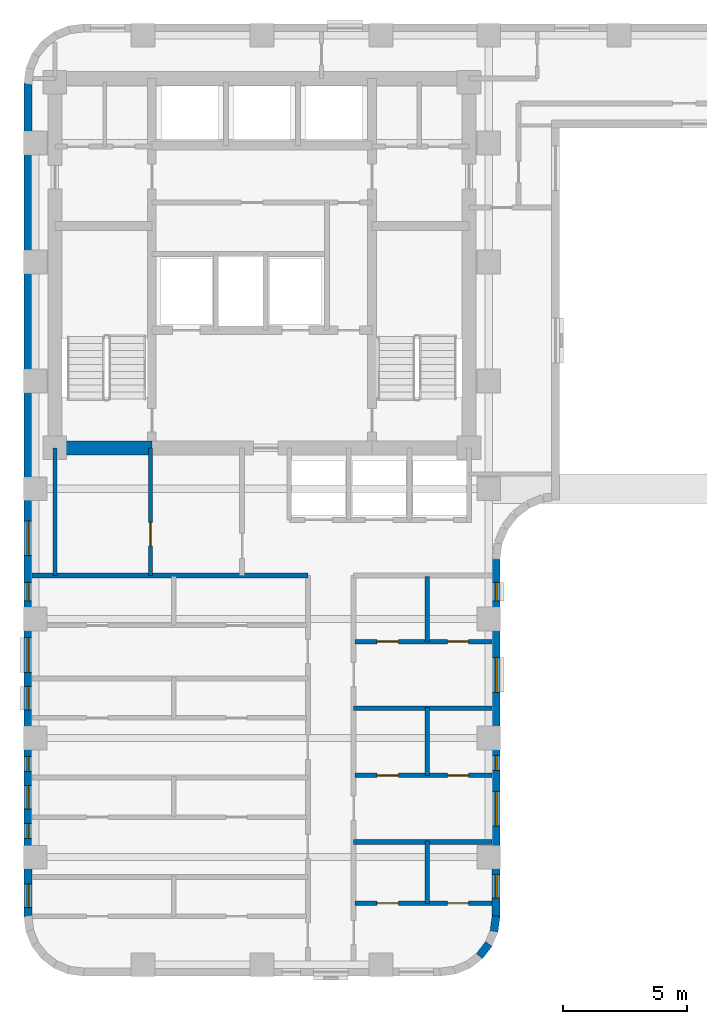
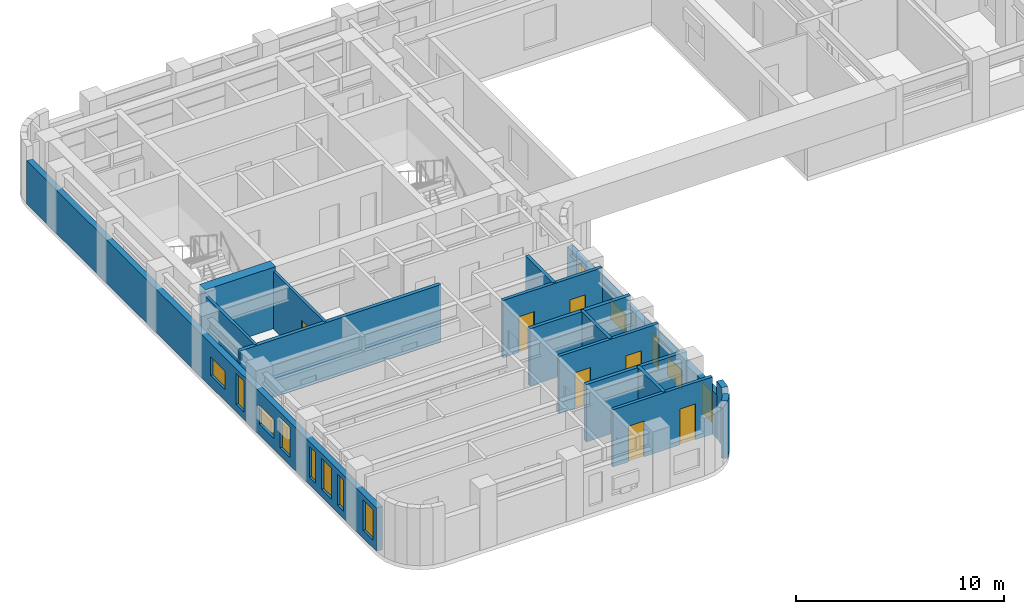
# One storey, part 3 of 8: 16 walls, 13 windows, 7 doors, 20 openings.
"""IFC4 building model written with IfcOpenShell, lengths in metres."""

from ifc_helpers import new_model, si_unit, direction, frame, frame_2d, origin, place, context, subcontext, project, spatial, rectangle, extrude, material, layer, layer_set, type_object, element, fill, save


model = new_model("IFC4")

# Units and contexts
model_context = context("Model", 3, precision=1e-05, world=origin(), true_north=direction((0.0, 1.0)))
body_context = subcontext(model_context, "Body", "Model", "MODEL_VIEW")
ifc_project = project(units=[si_unit("LENGTHUNIT", "METRE"), si_unit("AREAUNIT", "SQUARE_METRE"), si_unit("VOLUMEUNIT", "CUBIC_METRE"), si_unit("PLANEANGLEUNIT", "RADIAN"), si_unit("MASSUNIT", "GRAM", prefix="KILO")], contexts=[model_context])

# Site, building, storey
site_placement = place(None, origin())
site = spatial("IfcSite", under=ifc_project, at=site_placement, CompositionType="ELEMENT")
building_placement = place(site_placement, origin())
building = spatial("IfcBuilding", under=site, at=building_placement, Name="Orvandelia Arch Residences", CompositionType="ELEMENT")
storey_placement = place(building_placement, frame((0.0, 0.0, 107.199951171875)))
storey = spatial("IfcBuildingStorey", under=building, at=storey_placement, Name="L27", CompositionType="ELEMENT", Elevation=107.199951171875)

# Walls
ifc_material_1 = material(Name="Concrete C60/75", Category="concrete")
ifc_layer_1 = layer(ifc_material_1, 0.550048828125, Name="Concrete C60/75", Category="concrete")
ifc_layer_set_1 = layer_set([ifc_layer_1], Name="Concrete C60/75")
wall_type_1 = type_object("IfcWallType", Name="WL-CORE-550", PredefinedType="SHEAR", material=ifc_layer_set_1)
wall_1_placement = place(storey_placement, frame((6.050048828125, 30.89990234375, 0.0), z_axis=(0.0, 0.0, 1.0), x_axis=(1.0, 0.0, 0.0)))
element("IfcWall", 1, at=wall_1_placement, inside=storey, type_object=wall_type_1, Name="Core Shear Wall L27-SW", PredefinedType="SHEAR", context=body_context, shape_type="SweptSolid", body=[
    extrude(rectangle(XDim=3.909912109375, YDim=0.550048828125, at=frame_2d((1.955078125, 0.0))), origin(), (0.0, 0.0, 1.0), 3.60009765625),
])
ifc_material_2 = material(Name="Fire-Rated Corridor Partition")
ifc_layer_2 = layer(ifc_material_2, 0.199951171875, Name="Fire-Rated Corridor Partition")
ifc_layer_set_2 = layer_set([ifc_layer_2], Name="Fire-Rated Corridor Partition")
wall_type_2 = type_object("IfcWallType", Name="WL-CORR-200", PredefinedType="PARTITIONING", material=ifc_layer_set_2)
wall_2_placement = place(storey_placement, frame((5.1201171875, 25.75, 0.0), z_axis=(0.0, 0.0, 1.0), x_axis=(1.0, 0.0, 0.0)))
element("IfcWall", 2, at=wall_2_placement, inside=storey, type_object=wall_type_2, Name="Interior Partition Wall WL-L27-WCLS-W", PredefinedType="PARTITIONING", context=body_context, shape_type="SweptSolid", body=[
    extrude(rectangle(XDim=11.1298828125, YDim=0.199951171875, at=frame_2d((5.56494140625, 0.0))), origin(), (0.0, 0.0, 1.0), 3.360107421875),
])
ifc_material_3 = material(Name="Concrete C40/50", Category="concrete")
ifc_layer_3 = layer(ifc_material_3, 0.199951171875, Name="Concrete C40/50", Category="concrete")
ifc_layer_set_3 = layer_set([ifc_layer_3], Name="Concrete C40/50")
wall_type_3 = type_object("IfcWallType", Name="WL-DEM-200", PredefinedType="SOLIDWALL", material=ifc_layer_set_3)
for number, where, z_axis, x_axis, name in (
    (3, (18.10009765625, 15.0, 0.0), (0.0, 0.0, 1.0), (1.0, 0.0, 0.0), "Interior Partition Wall WL-L27-DEM-WR-150"),
    (4, (18.10009765625, 20.39990234375, 0.0), (0.0, 0.0, 1.0), (1.0, 0.0, 0.0), "Interior Partition Wall WL-L27-DEM-WR-204"),
):
    element("IfcWall", number, at=place(storey_placement, frame(where, z_axis=z_axis, x_axis=x_axis)), inside=storey, type_object=wall_type_3, Name=name, PredefinedType="SOLIDWALL", context=body_context, shape_type="SweptSolid", body=[
        extrude(rectangle(XDim=5.579833984375, YDim=0.199951171875, at=frame_2d((2.7900390625, 0.0))), origin(), (0.0, 0.0, 1.0), 3.360107421875),
    ])

# Wall, openings, windows
ifc_material_4 = material(Name="Precast concrete C40/50", Category="concrete")
ifc_layer_4 = layer(ifc_material_4, 0.320068359375, Name="Precast concrete C40/50", Category="concrete")
ifc_layer_set_4 = layer_set([ifc_layer_4], Name="Precast concrete C40/50")
wall_type_4 = type_object("IfcWallType", Name="WL-EXT-STONE-320", PredefinedType="STANDARD", material=ifc_layer_set_4)
wall_3_placement = place(storey_placement, frame((23.840087890625, 26.39990234375, 0.0), z_axis=(0.0, 0.0, 1.0), x_axis=(0.0, -1.0, 0.0)))
wall_3 = element("IfcWall", 5, at=wall_3_placement, inside=storey, type_object=wall_type_4, Name="Coral-Limestone Precast Facade Wall L27-031", PredefinedType="STANDARD", context=body_context, shape_type="SweptSolid", body=[
    extrude(rectangle(XDim=14.39990234375, YDim=0.320068359375, at=frame_2d((7.199951171875, 0.0))), origin(), (0.0, 0.0, 1.0), 2.5400390625),
])
opening_1_placement = place(wall_3_placement, frame((9.35400390625, 0.0, 0.64990234375)))
opening_1 = element("IfcOpeningElement", 6, at=opening_1_placement, cuts=wall_3, Name="Opening W10", PredefinedType="OPENING", context=body_context, shape_type="SweptSolid", body=[
    extrude(rectangle(XDim=1.39990234375, YDim=1.10009765625, at=frame_2d((0.699951171875, 0.550048828125))), frame((0.0, 0.169921875, 0.0), z_axis=(0.0, -1.0, 0.0), x_axis=(1.0, 0.0, 0.0)), (0.0, 0.0, 1.0), 0.340087890625),
])
opening_2_placement = place(wall_3_placement, frame((3.9541015625, 0.0, 0.64990234375)))
opening_2 = element("IfcOpeningElement", 7, at=opening_2_placement, cuts=wall_3, Name="Opening W10", PredefinedType="OPENING", context=body_context, shape_type="SweptSolid", body=[
    extrude(rectangle(XDim=1.39990234375, YDim=1.10009765625, at=frame_2d((0.699951171875, 0.550048828125))), frame((0.0, 0.169921875, 0.0), z_axis=(0.0, -1.0, 0.0), x_axis=(1.0, 0.0, 0.0)), (0.0, 0.0, 1.0), 0.340087890625),
])
opening_3_placement = place(wall_3_placement, frame((12.70654296875, 0.0, 0.449951171875)))
opening_3 = element("IfcOpeningElement", 8, at=opening_3_placement, cuts=wall_3, Name="Opening W4", PredefinedType="OPENING", context=body_context, shape_type="SweptSolid", body=[
    extrude(rectangle(XDim=0.949951171875, YDim=1.800048828125, at=frame_2d((0.47509765625, 0.89990234375))), frame((0.0, 0.169921875, 0.0), z_axis=(0.0, -1.0, 0.0), x_axis=(1.0, 0.0, 0.0)), (0.0, 0.0, 1.0), 0.340087890625),
])
opening_4_placement = place(wall_3_placement, frame((7.901611328125, 0.0, 0.449951171875)))
opening_4 = element("IfcOpeningElement", 9, at=opening_4_placement, cuts=wall_3, Name="Opening W12", PredefinedType="OPENING", context=body_context, shape_type="SweptSolid", body=[
    extrude(rectangle(XDim=0.60009765625, YDim=1.800048828125, at=frame_2d((0.300048828125, 0.89990234375))), frame((0.0, 0.169921875, 0.0), z_axis=(0.0, -1.0, 0.0), x_axis=(1.0, 0.0, 0.0)), (0.0, 0.0, 1.0), 0.340087890625),
])
opening_5_placement = place(wall_3_placement, frame((0.91748046875, 0.0, 0.449951171875)))
opening_5 = element("IfcOpeningElement", 10, at=opening_5_placement, cuts=wall_3, Name="Opening W11", PredefinedType="OPENING", context=body_context, shape_type="SweptSolid", body=[
    extrude(rectangle(XDim=0.75, YDim=1.800048828125, at=frame_2d((0.375, 0.89990234375))), frame((0.0, 0.169921875, 0.0), z_axis=(0.0, -1.0, 0.0), x_axis=(1.0, 0.0, 0.0)), (0.0, 0.0, 1.0), 0.340087890625),
])
ifc_material_5 = material(Name="Tempered Low-E Insulated Glazing", Category="glass")
window_type_1 = type_object("IfcWindowType", Name="WIN-BED-0750x1800", PartitioningType="SINGLE_PANEL", PredefinedType="WINDOW", material=ifc_material_5)
window_1_placement = place(opening_5_placement, origin())
window_1 = element("IfcWindow", 11, at=window_1_placement, inside=storey, type_object=window_type_1, Name="Recessed Punched Window L27-015", OverallHeight=1.800048828125, OverallWidth=0.75, PartitioningType="SINGLE_PANEL", PredefinedType="WINDOW", context=body_context, shape_type="SweptSolid", body=[
    extrude(rectangle(XDim=0.75, YDim=1.800048828125, at=frame_2d((0.375, 0.89990234375))), frame((0.0, 0.030029296875, 0.0), z_axis=(0.0, -1.0, 0.0), x_axis=(1.0, 0.0, 0.0)), (0.0, 0.0, 1.0), 0.06005859375),
])
fill(opening_5, window_1)
window_type_2 = type_object("IfcWindowType", Name="WIN-CLR-1400x1100", PartitioningType="SINGLE_PANEL", PredefinedType="WINDOW", material=ifc_material_5)
window_2_placement = place(opening_1_placement, origin())
window_2 = element("IfcWindow", 12, at=window_2_placement, inside=storey, type_object=window_type_2, Name="Recessed Punched Window L27-011", OverallHeight=1.10009765625, OverallWidth=1.39990234375, PartitioningType="SINGLE_PANEL", PredefinedType="WINDOW", context=body_context, shape_type="SweptSolid", body=[
    extrude(rectangle(XDim=1.39990234375, YDim=1.10009765625, at=frame_2d((0.699951171875, 0.550048828125))), frame((0.0, 0.030029296875, 0.0), z_axis=(0.0, -1.0, 0.0), x_axis=(1.0, 0.0, 0.0)), (0.0, 0.0, 1.0), 0.06005859375),
])
fill(opening_1, window_2)
window_3_placement = place(opening_2_placement, origin())
window_3 = element("IfcWindow", 13, at=window_3_placement, inside=storey, type_object=window_type_2, Name="Recessed Punched Window L27-012", OverallHeight=1.10009765625, OverallWidth=1.39990234375, PartitioningType="SINGLE_PANEL", PredefinedType="WINDOW", context=body_context, shape_type="SweptSolid", body=[
    extrude(rectangle(XDim=1.39990234375, YDim=1.10009765625, at=frame_2d((0.699951171875, 0.550048828125))), frame((0.0, 0.030029296875, 0.0), z_axis=(0.0, -1.0, 0.0), x_axis=(1.0, 0.0, 0.0)), (0.0, 0.0, 1.0), 0.06005859375),
])
fill(opening_2, window_3)
window_type_3 = type_object("IfcWindowType", Name="WIN-LAN-0600x1800", PartitioningType="SINGLE_PANEL", PredefinedType="WINDOW", material=ifc_material_5)
window_4_placement = place(opening_4_placement, origin())
window_4 = element("IfcWindow", 14, at=window_4_placement, inside=storey, type_object=window_type_3, Name="Recessed Punched Window L27-014", OverallHeight=1.800048828125, OverallWidth=0.60009765625, PartitioningType="SINGLE_PANEL", PredefinedType="WINDOW", context=body_context, shape_type="SweptSolid", body=[
    extrude(rectangle(XDim=0.60009765625, YDim=1.800048828125, at=frame_2d((0.300048828125, 0.89990234375))), frame((0.0, 0.030029296875, 0.0), z_axis=(0.0, -1.0, 0.0), x_axis=(1.0, 0.0, 0.0)), (0.0, 0.0, 1.0), 0.06005859375),
])
fill(opening_4, window_4)
window_type_4 = type_object("IfcWindowType", Name="WIN-RES-0950x1800", PartitioningType="SINGLE_PANEL", PredefinedType="WINDOW", material=ifc_material_5)
window_5_placement = place(opening_3_placement, origin())
window_5 = element("IfcWindow", 15, at=window_5_placement, inside=storey, type_object=window_type_4, Name="Recessed Punched Window L27-013", OverallHeight=1.800048828125, OverallWidth=0.949951171875, PartitioningType="SINGLE_PANEL", PredefinedType="WINDOW", context=body_context, shape_type="SweptSolid", body=[
    extrude(rectangle(XDim=0.949951171875, YDim=1.800048828125, at=frame_2d((0.47509765625, 0.89990234375))), frame((0.0, 0.030029296875, 0.0), z_axis=(0.0, -1.0, 0.0), x_axis=(1.0, 0.0, 0.0)), (0.0, 0.0, 1.0), 0.06005859375),
])
fill(opening_3, window_5)

# Walls
wall_4_placement = place(storey_placement, frame((23.84130859375, 12.02099609375, 0.0), z_axis=(0.0, 0.0, 1.0), x_axis=(-0.130504898859, -0.991447664465, 0.0)))
element("IfcWall", 16, at=wall_4_placement, inside=storey, type_object=wall_type_4, Name="Coral-Limestone Precast Facade Wall L27-032", PredefinedType="STANDARD", context=body_context, shape_type="SweptSolid", body=[
    extrude(rectangle(XDim=0.626708984375, YDim=0.320068359375, at=frame_2d((0.3134765625, 0.0))), origin(), (0.0, 0.0, 1.0), 3.360107421875),
])
wall_5_placement = place(storey_placement, frame((23.551513671875, 10.8974609375, 0.0), z_axis=(0.0, 0.0, 1.0), x_axis=(-0.608693302629, -0.793405610854, 0.0)))
element("IfcWall", 17, at=wall_5_placement, inside=storey, type_object=wall_type_4, Name="Coral-Limestone Precast Facade Wall L27-034", PredefinedType="STANDARD", context=body_context, shape_type="SweptSolid", body=[
    extrude(rectangle(XDim=0.62646484375, YDim=0.320068359375, at=frame_2d((0.313232421875, 0.0))), origin(), (0.0, 0.0, 1.0), 3.360107421875),
])

# Wall, openings, windows
wall_6_placement = place(storey_placement, frame((4.9599609375, 12.0, 0.0), z_axis=(0.0, 0.0, 1.0), x_axis=(0.0, 1.0, 0.0)))
wall_6 = element("IfcWall", 18, at=wall_6_placement, inside=storey, type_object=wall_type_4, Name="Coral-Limestone Precast Facade Wall L27-045", PredefinedType="STANDARD", context=body_context, shape_type="SweptSolid", body=[
    extrude(rectangle(XDim=33.60009765625, YDim=0.320068359375, at=frame_2d((16.800048828125, 0.0))), origin(), (0.0, 0.0, 1.0), 2.5400390625),
])
opening_6_placement = place(wall_6_placement, frame((3.152587890625, 0.0, 0.449951171875)))
opening_6 = element("IfcOpeningElement", 19, at=opening_6_placement, cuts=wall_6, Name="Opening W12", PredefinedType="OPENING", context=body_context, shape_type="SweptSolid", body=[
    extrude(rectangle(XDim=0.60009765625, YDim=1.800048828125, at=frame_2d((0.300048828125, 0.89990234375))), frame((0.0, 0.169921875, 0.0), z_axis=(0.0, -1.0, 0.0), x_axis=(1.0, 0.0, 0.0)), (0.0, 0.0, 1.0), 0.340087890625),
])
opening_7_placement = place(wall_6_placement, frame((5.8525390625, 0.0, 0.449951171875)))
opening_7 = element("IfcOpeningElement", 20, at=opening_7_placement, cuts=wall_6, Name="Opening W12", PredefinedType="OPENING", context=body_context, shape_type="SweptSolid", body=[
    extrude(rectangle(XDim=0.60009765625, YDim=1.800048828125, at=frame_2d((0.300048828125, 0.89990234375))), frame((0.0, 0.169921875, 0.0), z_axis=(0.0, -1.0, 0.0), x_axis=(1.0, 0.0, 0.0)), (0.0, 0.0, 1.0), 0.340087890625),
])
opening_8_placement = place(wall_6_placement, frame((9.8525390625, 0.0, 0.64990234375)))
opening_8 = element("IfcOpeningElement", 21, at=opening_8_placement, cuts=wall_6, Name="Opening W10", PredefinedType="OPENING", context=body_context, shape_type="SweptSolid", body=[
    extrude(rectangle(XDim=1.39990234375, YDim=1.10009765625, at=frame_2d((0.699951171875, 0.550048828125))), frame((0.0, 0.169921875, 0.0), z_axis=(0.0, -1.0, 0.0), x_axis=(1.0, 0.0, 0.0)), (0.0, 0.0, 1.0), 0.340087890625),
])
opening_9_placement = place(wall_6_placement, frame((0.35498046875, 0.0, 0.449951171875)))
opening_9 = element("IfcOpeningElement", 22, at=opening_9_placement, cuts=wall_6, Name="Opening W4", PredefinedType="OPENING", context=body_context, shape_type="SweptSolid", body=[
    extrude(rectangle(XDim=0.949951171875, YDim=1.800048828125, at=frame_2d((0.47509765625, 0.89990234375))), frame((0.0, 0.169921875, 0.0), z_axis=(0.0, -1.0, 0.0), x_axis=(1.0, 0.0, 0.0)), (0.0, 0.0, 1.0), 0.340087890625),
])
opening_10_placement = place(wall_6_placement, frame((4.330078125, 0.0, 0.449951171875)))
opening_10 = element("IfcOpeningElement", 23, at=opening_10_placement, cuts=wall_6, Name="Opening W4", PredefinedType="OPENING", context=body_context, shape_type="SweptSolid", body=[
    extrude(rectangle(XDim=0.949951171875, YDim=1.800048828125, at=frame_2d((0.47509765625, 0.89990234375))), frame((0.0, 0.169921875, 0.0), z_axis=(0.0, -1.0, 0.0), x_axis=(1.0, 0.0, 0.0)), (0.0, 0.0, 1.0), 0.340087890625),
])
opening_11_placement = place(wall_6_placement, frame((8.330078125, 0.0, 0.449951171875)))
opening_11 = element("IfcOpeningElement", 24, at=opening_11_placement, cuts=wall_6, Name="Opening W4", PredefinedType="OPENING", context=body_context, shape_type="SweptSolid", body=[
    extrude(rectangle(XDim=0.949951171875, YDim=1.800048828125, at=frame_2d((0.47509765625, 0.89990234375))), frame((0.0, 0.169921875, 0.0), z_axis=(0.0, -1.0, 0.0), x_axis=(1.0, 0.0, 0.0)), (0.0, 0.0, 1.0), 0.340087890625),
])
opening_12_placement = place(wall_6_placement, frame((12.732421875, 0.0, 0.449951171875)))
opening_12 = element("IfcOpeningElement", 25, at=opening_12_placement, cuts=wall_6, Name="Opening W11", PredefinedType="OPENING", context=body_context, shape_type="SweptSolid", body=[
    extrude(rectangle(XDim=0.75, YDim=1.800048828125, at=frame_2d((0.375, 0.89990234375))), frame((0.0, 0.169921875, 0.0), z_axis=(0.0, -1.0, 0.0), x_axis=(1.0, 0.0, 0.0)), (0.0, 0.0, 1.0), 0.340087890625),
])
opening_13_placement = place(wall_6_placement, frame((14.5576171875, 0.0, 0.64990234375)))
opening_13 = element("IfcOpeningElement", 26, at=opening_13_placement, cuts=wall_6, Name="Opening W10", PredefinedType="OPENING", context=body_context, shape_type="SweptSolid", body=[
    extrude(rectangle(XDim=1.39990234375, YDim=1.10009765625, at=frame_2d((0.699951171875, 0.550048828125))), frame((0.0, 0.169921875, 0.0), z_axis=(0.0, -1.0, 0.0), x_axis=(1.0, 0.0, 0.0)), (0.0, 0.0, 1.0), 0.340087890625),
])
window_6_placement = place(opening_12_placement, origin())
window_6 = element("IfcWindow", 27, at=window_6_placement, inside=storey, type_object=window_type_1, Name="Recessed Punched Window L27-025", OverallHeight=1.800048828125, OverallWidth=0.75, PartitioningType="SINGLE_PANEL", PredefinedType="WINDOW", context=body_context, shape_type="SweptSolid", body=[
    extrude(rectangle(XDim=0.75, YDim=1.800048828125, at=frame_2d((0.375, 0.89990234375))), frame((0.0, 0.030029296875, 0.0), z_axis=(0.0, -1.0, 0.0), x_axis=(1.0, 0.0, 0.0)), (0.0, 0.0, 1.0), 0.06005859375),
])
fill(opening_12, window_6)
window_7_placement = place(opening_8_placement, origin())
window_7 = element("IfcWindow", 28, at=window_7_placement, inside=storey, type_object=window_type_2, Name="Recessed Punched Window L27-021", OverallHeight=1.10009765625, OverallWidth=1.39990234375, PartitioningType="SINGLE_PANEL", PredefinedType="WINDOW", context=body_context, shape_type="SweptSolid", body=[
    extrude(rectangle(XDim=1.39990234375, YDim=1.10009765625, at=frame_2d((0.699951171875, 0.550048828125))), frame((0.0, 0.030029296875, 0.0), z_axis=(0.0, -1.0, 0.0), x_axis=(1.0, 0.0, 0.0)), (0.0, 0.0, 1.0), 0.06005859375),
])
fill(opening_8, window_7)
window_8_placement = place(opening_13_placement, origin())
window_8 = element("IfcWindow", 29, at=window_8_placement, inside=storey, type_object=window_type_2, Name="Recessed Punched Window L27-026", OverallHeight=1.10009765625, OverallWidth=1.39990234375, PartitioningType="SINGLE_PANEL", PredefinedType="WINDOW", context=body_context, shape_type="SweptSolid", body=[
    extrude(rectangle(XDim=1.39990234375, YDim=1.10009765625, at=frame_2d((0.699951171875, 0.550048828125))), frame((0.0, 0.030029296875, 0.0), z_axis=(0.0, -1.0, 0.0), x_axis=(1.0, 0.0, 0.0)), (0.0, 0.0, 1.0), 0.06005859375),
])
fill(opening_13, window_8)
window_9_placement = place(opening_6_placement, origin())
window_9 = element("IfcWindow", 30, at=window_9_placement, inside=storey, type_object=window_type_3, Name="Recessed Punched Window L27-019", OverallHeight=1.800048828125, OverallWidth=0.60009765625, PartitioningType="SINGLE_PANEL", PredefinedType="WINDOW", context=body_context, shape_type="SweptSolid", body=[
    extrude(rectangle(XDim=0.60009765625, YDim=1.800048828125, at=frame_2d((0.300048828125, 0.89990234375))), frame((0.0, 0.030029296875, 0.0), z_axis=(0.0, -1.0, 0.0), x_axis=(1.0, 0.0, 0.0)), (0.0, 0.0, 1.0), 0.06005859375),
])
fill(opening_6, window_9)
window_10_placement = place(opening_7_placement, origin())
window_10 = element("IfcWindow", 31, at=window_10_placement, inside=storey, type_object=window_type_3, Name="Recessed Punched Window L27-020", OverallHeight=1.800048828125, OverallWidth=0.60009765625, PartitioningType="SINGLE_PANEL", PredefinedType="WINDOW", context=body_context, shape_type="SweptSolid", body=[
    extrude(rectangle(XDim=0.60009765625, YDim=1.800048828125, at=frame_2d((0.300048828125, 0.89990234375))), frame((0.0, 0.030029296875, 0.0), z_axis=(0.0, -1.0, 0.0), x_axis=(1.0, 0.0, 0.0)), (0.0, 0.0, 1.0), 0.06005859375),
])
fill(opening_7, window_10)
window_11_placement = place(opening_9_placement, origin())
window_11 = element("IfcWindow", 32, at=window_11_placement, inside=storey, type_object=window_type_4, Name="Recessed Punched Window L27-022", OverallHeight=1.800048828125, OverallWidth=0.949951171875, PartitioningType="SINGLE_PANEL", PredefinedType="WINDOW", context=body_context, shape_type="SweptSolid", body=[
    extrude(rectangle(XDim=0.949951171875, YDim=1.800048828125, at=frame_2d((0.47509765625, 0.89990234375))), frame((0.0, 0.030029296875, 0.0), z_axis=(0.0, -1.0, 0.0), x_axis=(1.0, 0.0, 0.0)), (0.0, 0.0, 1.0), 0.06005859375),
])
fill(opening_9, window_11)
window_12_placement = place(opening_10_placement, origin())
window_12 = element("IfcWindow", 33, at=window_12_placement, inside=storey, type_object=window_type_4, Name="Recessed Punched Window L27-023", OverallHeight=1.800048828125, OverallWidth=0.949951171875, PartitioningType="SINGLE_PANEL", PredefinedType="WINDOW", context=body_context, shape_type="SweptSolid", body=[
    extrude(rectangle(XDim=0.949951171875, YDim=1.800048828125, at=frame_2d((0.47509765625, 0.89990234375))), frame((0.0, 0.030029296875, 0.0), z_axis=(0.0, -1.0, 0.0), x_axis=(1.0, 0.0, 0.0)), (0.0, 0.0, 1.0), 0.06005859375),
])
fill(opening_10, window_12)
window_13_placement = place(opening_11_placement, origin())
window_13 = element("IfcWindow", 34, at=window_13_placement, inside=storey, type_object=window_type_4, Name="Recessed Punched Window L27-024", OverallHeight=1.800048828125, OverallWidth=0.949951171875, PartitioningType="SINGLE_PANEL", PredefinedType="WINDOW", context=body_context, shape_type="SweptSolid", body=[
    extrude(rectangle(XDim=0.949951171875, YDim=1.800048828125, at=frame_2d((0.47509765625, 0.89990234375))), frame((0.0, 0.030029296875, 0.0), z_axis=(0.0, -1.0, 0.0), x_axis=(1.0, 0.0, 0.0)), (0.0, 0.0, 1.0), 0.06005859375),
])
fill(opening_11, window_13)

# Wall
ifc_material_6 = material(Name="Acoustic Gypsum Stud Partition")
ifc_layer_5 = layer(ifc_material_6, 0.14990234375, Name="Acoustic Gypsum Stud Partition")
ifc_layer_set_5 = layer_set([ifc_layer_5], Name="Acoustic Gypsum Stud Partition")
wall_type_5 = type_object("IfcWallType", Name="WL-PART-150", PredefinedType="PARTITIONING", material=ifc_layer_set_5)
wall_7_placement = place(storey_placement, frame((6.050048828125, 25.75, 0.0), z_axis=(0.0, 0.0, 1.0), x_axis=(0.0, 1.0, 0.0)))
element("IfcWall", 35, at=wall_7_placement, inside=storey, type_object=wall_type_5, Name="Interior Partition Wall WL-L27-B1REUSE-W", PredefinedType="PARTITIONING", context=body_context, shape_type="SweptSolid", body=[
    extrude(rectangle(XDim=5.14990234375, YDim=0.14990234375, at=frame_2d((2.574951171875, 0.0))), origin(), (0.0, 0.0, 1.0), 3.360107421875),
])

# Wall, opening, door
wall_8_placement = place(storey_placement, frame((9.89990234375, 25.75, 0.0), z_axis=(0.0, 0.0, 1.0), x_axis=(0.0, 1.0, 0.0)))
wall_8 = element("IfcWall", 36, at=wall_8_placement, inside=storey, type_object=wall_type_5, Name="Interior Partition Wall WL-L27-B1R-M", PredefinedType="PARTITIONING", context=body_context, shape_type="SweptSolid", body=[
    extrude(rectangle(XDim=5.14990234375, YDim=0.14990234375, at=frame_2d((2.574951171875, 0.0))), origin(), (0.0, 0.0, 1.0), 3.360107421875),
])
opening_14_placement = place(wall_8_placement, frame((1.199951171875, 0.0, 0.0)))
opening_14 = element("IfcOpeningElement", 37, at=opening_14_placement, cuts=wall_8, Name="Opening D2", PredefinedType="OPENING", context=body_context, shape_type="SweptSolid", body=[
    extrude(rectangle(XDim=0.949951171875, YDim=2.14990234375, at=frame_2d((0.47509765625, 1.074951171875))), frame((0.0, 0.0849609375, 0.0), z_axis=(0.0, -1.0, 0.0), x_axis=(1.0, 0.0, 0.0)), (0.0, 0.0, 1.0), 0.169921875),
])
ifc_material_7 = material(Name="Solid-Core Timber Interior Fire Door", Category="wood")
door_type_1 = type_object("IfcDoorType", Name="DR-APT-950", OperationType="NOTDEFINED", PredefinedType="DOOR", material=ifc_material_7)
door_1_placement = place(opening_14_placement, origin())
door_1 = element("IfcDoor", 38, at=door_1_placement, inside=storey, type_object=door_type_1, Name="DR-L27-B1RA", OperationType="SINGLE_SWING_RIGHT", OverallHeight=2.14990234375, OverallWidth=0.949951171875, PredefinedType="DOOR", context=body_context, shape_type="SweptSolid", body=[
    extrude(rectangle(XDim=0.949951171875, YDim=2.14990234375, at=frame_2d((0.47509765625, 1.074951171875))), frame((0.0, 0.02490234375, 0.0), z_axis=(0.0, -1.0, 0.0), x_axis=(1.0, 0.0, 0.0)), (0.0, 0.0, 1.0), 0.050048828125),
])
fill(opening_14, door_1)

# Wall, openings, doors
ifc_material_8 = material(Name="Moisture-Resistant Plumbing Wall")
ifc_layer_6 = layer(ifc_material_8, 0.179931640625, Name="Moisture-Resistant Plumbing Wall")
ifc_layer_set_6 = layer_set([ifc_layer_6], Name="Moisture-Resistant Plumbing Wall")
wall_type_6 = type_object("IfcWallType", Name="WL-WET-180", PredefinedType="PLUMBINGWALL", material=ifc_layer_set_6)
wall_9_placement = place(storey_placement, frame((18.159912109375, 12.531982421875, 0.0), z_axis=(0.0, 0.0, 1.0), x_axis=(1.0, 0.0, 0.0)))
wall_9 = element("IfcWall", 39, at=wall_9_placement, inside=storey, type_object=wall_type_6, Name="Interior Partition Wall WL-L27-U05-HZ", PredefinedType="PLUMBINGWALL", context=body_context, shape_type="SweptSolid", body=[
    extrude(rectangle(XDim=5.52001953125, YDim=0.179931640625, at=frame_2d((2.760009765625, 0.0))), origin(), (0.0, 0.0, 1.0), 3.360107421875),
])
opening_15_placement = place(wall_9_placement, frame((0.8759765625, 0.0, 0.0)))
opening_15 = element("IfcOpeningElement", 40, at=opening_15_placement, cuts=wall_9, Name="Opening D4", PredefinedType="OPENING", context=body_context, shape_type="SweptSolid", body=[
    extrude(rectangle(XDim=0.860107421875, YDim=2.10009765625, at=frame_2d((0.43017578125, 1.050048828125))), frame((0.0, 0.10009765625, 0.0), z_axis=(0.0, -1.0, 0.0), x_axis=(1.0, 0.0, 0.0)), (0.0, 0.0, 1.0), 0.199951171875),
])
opening_16_placement = place(wall_9_placement, frame((3.716064453125, 0.0, 0.0)))
opening_16 = element("IfcOpeningElement", 41, at=opening_16_placement, cuts=wall_9, Name="Opening D4", PredefinedType="OPENING", context=body_context, shape_type="SweptSolid", body=[
    extrude(rectangle(XDim=0.860107421875, YDim=2.10009765625, at=frame_2d((0.43017578125, 1.050048828125))), frame((0.0, 0.10009765625, 0.0), z_axis=(0.0, -1.0, 0.0), x_axis=(1.0, 0.0, 0.0)), (0.0, 0.0, 1.0), 0.199951171875),
])
ifc_material_9 = material(Name="Moisture-Sealed Timber Bathroom Door", Category="wood")
door_type_2 = type_object("IfcDoorType", Name="DR-WET-900", OperationType="NOTDEFINED", PredefinedType="DOOR", material=ifc_material_9)
door_2_placement = place(opening_15_placement, origin())
door_2 = element("IfcDoor", 42, at=door_2_placement, inside=storey, type_object=door_type_2, Name="DR-L27-U05-KIT", OperationType="SINGLE_SWING_LEFT", OverallHeight=2.10009765625, OverallWidth=0.860107421875, PredefinedType="DOOR", context=body_context, shape_type="SweptSolid", body=[
    extrude(rectangle(XDim=0.860107421875, YDim=2.10009765625, at=frame_2d((0.43017578125, 1.050048828125))), frame((0.0, 0.02490234375, 0.0), z_axis=(0.0, -1.0, 0.0), x_axis=(1.0, 0.0, 0.0)), (0.0, 0.0, 1.0), 0.050048828125),
])
fill(opening_15, door_2)
door_3_placement = place(opening_16_placement, origin())
door_3 = element("IfcDoor", 43, at=door_3_placement, inside=storey, type_object=door_type_2, Name="DR-L27-U05-BTH", OperationType="SINGLE_SWING_RIGHT", OverallHeight=2.10009765625, OverallWidth=0.860107421875, PredefinedType="DOOR", context=body_context, shape_type="SweptSolid", body=[
    extrude(rectangle(XDim=0.860107421875, YDim=2.10009765625, at=frame_2d((0.43017578125, 1.050048828125))), frame((0.0, 0.02490234375, 0.0), z_axis=(0.0, -1.0, 0.0), x_axis=(1.0, 0.0, 0.0)), (0.0, 0.0, 1.0), 0.050048828125),
])
fill(opening_16, door_3)

# Wall
wall_10_placement = place(storey_placement, frame((21.06201171875, 12.531982421875, 0.0), z_axis=(0.0, 0.0, 1.0), x_axis=(0.0, 1.0, 0.0)))
element("IfcWall", 44, at=wall_10_placement, inside=storey, type_object=wall_type_6, Name="Interior Partition Wall WL-L27-U05-V1", PredefinedType="PLUMBINGWALL", context=body_context, shape_type="SweptSolid", body=[
    extrude(rectangle(XDim=2.508056640625, YDim=0.179931640625, at=frame_2d((1.25390625, 0.0))), origin(), (0.0, 0.0, 1.0), 3.360107421875),
])

# Wall, openings, doors
wall_11_placement = place(storey_placement, frame((18.159912109375, 17.69189453125, 0.0), z_axis=(0.0, 0.0, 1.0), x_axis=(1.0, 0.0, 0.0)))
wall_11 = element("IfcWall", 45, at=wall_11_placement, inside=storey, type_object=wall_type_6, Name="Interior Partition Wall WL-L27-U06-HZ", PredefinedType="PLUMBINGWALL", context=body_context, shape_type="SweptSolid", body=[
    extrude(rectangle(XDim=5.52001953125, YDim=0.179931640625, at=frame_2d((2.760009765625, 0.0))), origin(), (0.0, 0.0, 1.0), 3.360107421875),
])
opening_17_placement = place(wall_11_placement, frame((0.8759765625, 0.0, 0.0)))
opening_17 = element("IfcOpeningElement", 46, at=opening_17_placement, cuts=wall_11, Name="Opening D4", PredefinedType="OPENING", context=body_context, shape_type="SweptSolid", body=[
    extrude(rectangle(XDim=0.860107421875, YDim=2.10009765625, at=frame_2d((0.43017578125, 1.050048828125))), frame((0.0, 0.10009765625, 0.0), z_axis=(0.0, -1.0, 0.0), x_axis=(1.0, 0.0, 0.0)), (0.0, 0.0, 1.0), 0.199951171875),
])
opening_18_placement = place(wall_11_placement, frame((3.716064453125, 0.0, 0.0)))
opening_18 = element("IfcOpeningElement", 47, at=opening_18_placement, cuts=wall_11, Name="Opening D4", PredefinedType="OPENING", context=body_context, shape_type="SweptSolid", body=[
    extrude(rectangle(XDim=0.860107421875, YDim=2.10009765625, at=frame_2d((0.43017578125, 1.050048828125))), frame((0.0, 0.10009765625, 0.0), z_axis=(0.0, -1.0, 0.0), x_axis=(1.0, 0.0, 0.0)), (0.0, 0.0, 1.0), 0.199951171875),
])
door_4_placement = place(opening_17_placement, origin())
door_4 = element("IfcDoor", 48, at=door_4_placement, inside=storey, type_object=door_type_2, Name="DR-L27-U06-KIT", OperationType="SINGLE_SWING_RIGHT", OverallHeight=2.10009765625, OverallWidth=0.860107421875, PredefinedType="DOOR", context=body_context, shape_type="SweptSolid", body=[
    extrude(rectangle(XDim=0.860107421875, YDim=2.10009765625, at=frame_2d((0.43017578125, 1.050048828125))), frame((0.0, 0.02490234375, 0.0), z_axis=(0.0, -1.0, 0.0), x_axis=(1.0, 0.0, 0.0)), (0.0, 0.0, 1.0), 0.050048828125),
])
fill(opening_17, door_4)
door_5_placement = place(opening_18_placement, origin())
door_5 = element("IfcDoor", 49, at=door_5_placement, inside=storey, type_object=door_type_2, Name="DR-L27-U06-BTH", OperationType="SINGLE_SWING_LEFT", OverallHeight=2.10009765625, OverallWidth=0.860107421875, PredefinedType="DOOR", context=body_context, shape_type="SweptSolid", body=[
    extrude(rectangle(XDim=0.860107421875, YDim=2.10009765625, at=frame_2d((0.43017578125, 1.050048828125))), frame((0.0, 0.02490234375, 0.0), z_axis=(0.0, -1.0, 0.0), x_axis=(1.0, 0.0, 0.0)), (0.0, 0.0, 1.0), 0.050048828125),
])
fill(opening_18, door_5)

# Wall
wall_12_placement = place(storey_placement, frame((21.06201171875, 17.69189453125, 0.0), z_axis=(0.0, 0.0, 1.0), x_axis=(0.0, 1.0, 0.0)))
element("IfcWall", 50, at=wall_12_placement, inside=storey, type_object=wall_type_6, Name="Interior Partition Wall WL-L27-U06-V1", PredefinedType="PLUMBINGWALL", context=body_context, shape_type="SweptSolid", body=[
    extrude(rectangle(XDim=2.748046875, YDim=0.179931640625, at=frame_2d((1.3740234375, 0.0))), origin(), (0.0, 0.0, 1.0), 3.360107421875),
])

# Wall, openings, doors
wall_13_placement = place(storey_placement, frame((18.159912109375, 23.092041015625, 0.0), z_axis=(0.0, 0.0, 1.0), x_axis=(1.0, 0.0, 0.0)))
wall_13 = element("IfcWall", 51, at=wall_13_placement, inside=storey, type_object=wall_type_6, Name="Interior Partition Wall WL-L27-U07-HZ", PredefinedType="PLUMBINGWALL", context=body_context, shape_type="SweptSolid", body=[
    extrude(rectangle(XDim=5.52001953125, YDim=0.179931640625, at=frame_2d((2.760009765625, 0.0))), origin(), (0.0, 0.0, 1.0), 3.360107421875),
])
opening_19_placement = place(wall_13_placement, frame((0.8759765625, 0.0, 0.0)))
opening_19 = element("IfcOpeningElement", 52, at=opening_19_placement, cuts=wall_13, Name="Opening D4", PredefinedType="OPENING", context=body_context, shape_type="SweptSolid", body=[
    extrude(rectangle(XDim=0.860107421875, YDim=2.10009765625, at=frame_2d((0.43017578125, 1.050048828125))), frame((0.0, 0.10009765625, 0.0), z_axis=(0.0, -1.0, 0.0), x_axis=(1.0, 0.0, 0.0)), (0.0, 0.0, 1.0), 0.199951171875),
])
opening_20_placement = place(wall_13_placement, frame((3.716064453125, 0.0, 0.0)))
opening_20 = element("IfcOpeningElement", 53, at=opening_20_placement, cuts=wall_13, Name="Opening D4", PredefinedType="OPENING", context=body_context, shape_type="SweptSolid", body=[
    extrude(rectangle(XDim=0.860107421875, YDim=2.10009765625, at=frame_2d((0.43017578125, 1.050048828125))), frame((0.0, 0.10009765625, 0.0), z_axis=(0.0, -1.0, 0.0), x_axis=(1.0, 0.0, 0.0)), (0.0, 0.0, 1.0), 0.199951171875),
])
door_6_placement = place(opening_19_placement, origin())
door_6 = element("IfcDoor", 54, at=door_6_placement, inside=storey, type_object=door_type_2, Name="DR-L27-U07-KIT", OperationType="SINGLE_SWING_LEFT", OverallHeight=2.10009765625, OverallWidth=0.860107421875, PredefinedType="DOOR", context=body_context, shape_type="SweptSolid", body=[
    extrude(rectangle(XDim=0.860107421875, YDim=2.10009765625, at=frame_2d((0.43017578125, 1.050048828125))), frame((0.0, 0.02490234375, 0.0), z_axis=(0.0, -1.0, 0.0), x_axis=(1.0, 0.0, 0.0)), (0.0, 0.0, 1.0), 0.050048828125),
])
fill(opening_19, door_6)
door_7_placement = place(opening_20_placement, origin())
door_7 = element("IfcDoor", 55, at=door_7_placement, inside=storey, type_object=door_type_2, Name="DR-L27-U07-BTH", OperationType="SINGLE_SWING_RIGHT", OverallHeight=2.10009765625, OverallWidth=0.860107421875, PredefinedType="DOOR", context=body_context, shape_type="SweptSolid", body=[
    extrude(rectangle(XDim=0.860107421875, YDim=2.10009765625, at=frame_2d((0.43017578125, 1.050048828125))), frame((0.0, 0.02490234375, 0.0), z_axis=(0.0, -1.0, 0.0), x_axis=(1.0, 0.0, 0.0)), (0.0, 0.0, 1.0), 0.050048828125),
])
fill(opening_20, door_7)

# Wall
wall_14_placement = place(storey_placement, frame((21.06201171875, 23.092041015625, 0.0), z_axis=(0.0, 0.0, 1.0), x_axis=(0.0, 1.0, 0.0)))
element("IfcWall", 56, at=wall_14_placement, inside=storey, type_object=wall_type_6, Name="Interior Partition Wall WL-L27-U07-V1", PredefinedType="PLUMBINGWALL", context=body_context, shape_type="SweptSolid", body=[
    extrude(rectangle(XDim=2.6279296875, YDim=0.179931640625, at=frame_2d((1.31396484375, 0.0))), origin(), (0.0, 0.0, 1.0), 3.360107421875),
])

save(model, "model.ifc")
